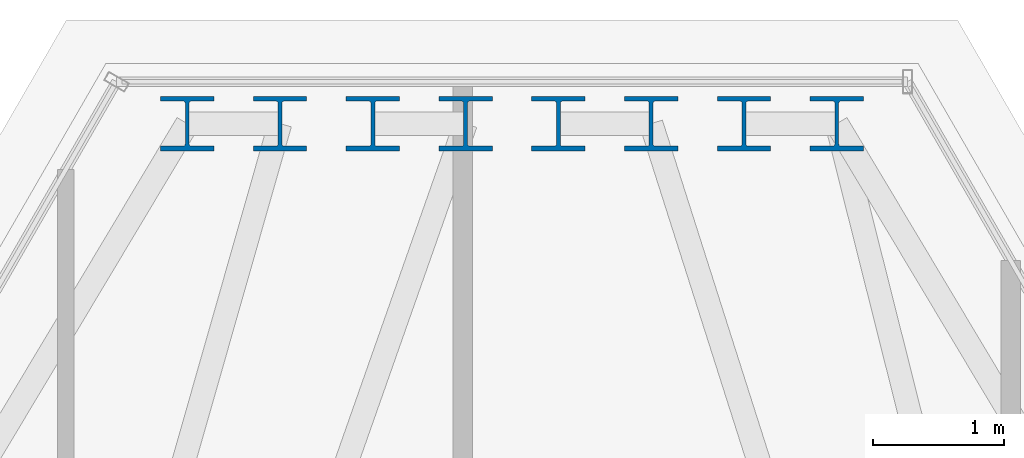
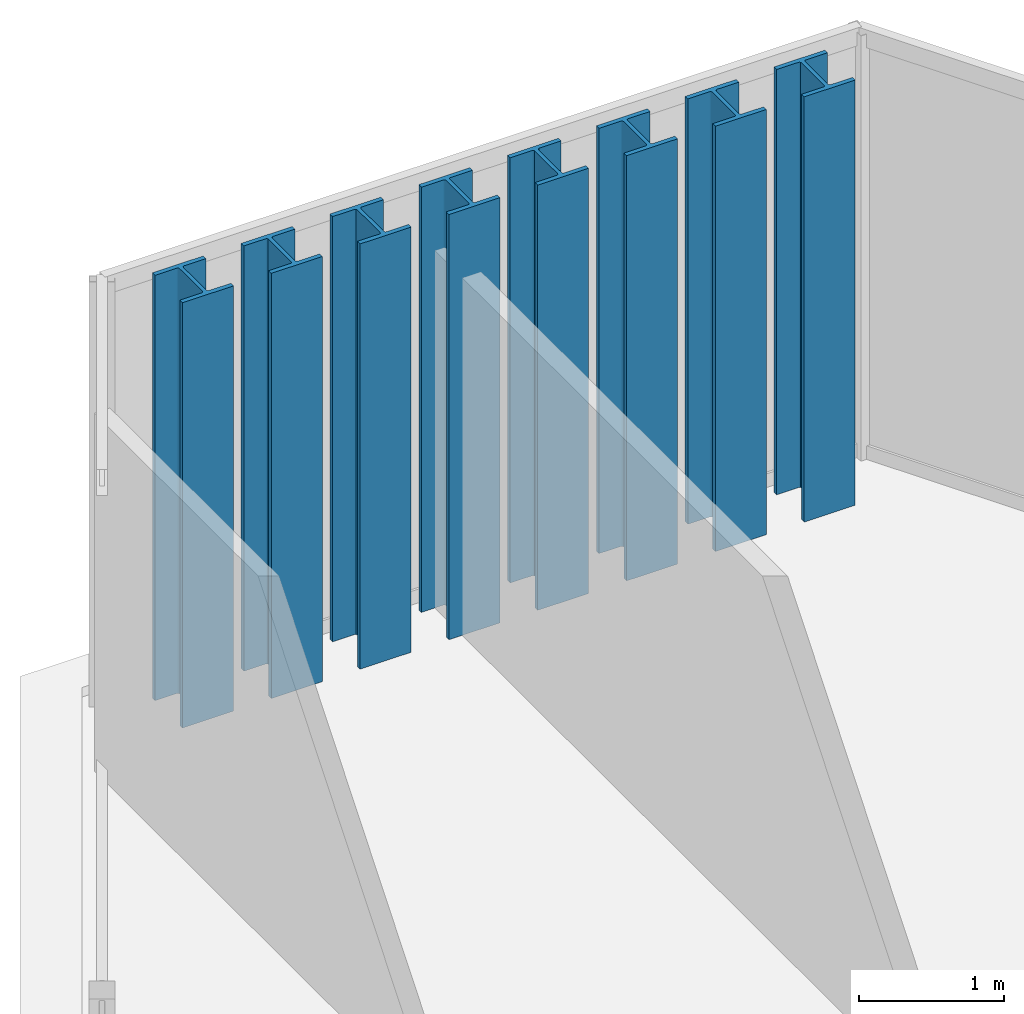
# One storey, part 2 of 32: 8 columns.
"""IFC4 building model written with IfcOpenShell, lengths in metres."""

from ifc_helpers import new_model, si_unit, direction, frame, origin, origin_2d, place, context, subcontext, project, spatial, i_section, extrude, material, material_profile, profile_set, type_object, element, save


model = new_model("IFC4")

# Units and contexts
model_context = context("Model", 3, precision=1e-05, world=origin(), true_north=direction((0.0, 1.0)))
body_context = subcontext(model_context, "Body", "Model", "MODEL_VIEW")
ifc_project = project(units=[si_unit("LENGTHUNIT", "METRE"), si_unit("AREAUNIT", "SQUARE_METRE"), si_unit("VOLUMEUNIT", "CUBIC_METRE"), si_unit("PLANEANGLEUNIT", "RADIAN"), si_unit("MASSUNIT", "GRAM", prefix="KILO")], contexts=[model_context])

# Site, building, storey
site_placement = place(None, origin())
site = spatial("IfcSite", under=ifc_project, at=site_placement, CompositionType="ELEMENT")
building_placement = place(site_placement, origin())
building = spatial("IfcBuilding", under=site, at=building_placement, Name="Ndaravel Arena Tower", CompositionType="ELEMENT")
storey_placement = place(building_placement, frame((0.0, 0.0, 252.199951171875)))
storey = spatial("IfcBuildingStorey", under=building, at=storey_placement, Name="L61", CompositionType="ELEMENT", Elevation=252.199951171875)

# Columns
ifc_material = material(Name="Steel S355", Category="steel")
ifc_material_profile = material_profile(ifc_material, i_section(OverallWidth=0.406005859375, OverallDepth=0.416015625, WebThickness=0.02978515625, FlangeThickness=0.03662109375, FilletRadius=0.014892578125, at=origin_2d()), Name="HD 400x382")
ifc_profile_set = profile_set([ifc_material_profile], Name="Steel S355")
column_type = type_object("IfcColumnType", Name="COL-TUBE-HD382", PredefinedType="COLUMN", material=ifc_profile_set)
for number, where, z_axis, x_axis, name in (
    (1, (44.475341796875, 44.359619140625, 0.0), (0.0, 0.0, 1.0), (1.0, 0.0, 0.0), "L61 Framed Tube Column TC-11"),
    (2, (43.76806640625, 44.359619140625, 0.0), (0.0, 0.0, 1.0), (1.0, 0.0, 0.0), "L61 Framed Tube Column TC-12"),
    (3, (43.060791015625, 44.359619140625, 0.0), (0.0, 0.0, 1.0), (1.0, 0.0, 0.0), "L61 Framed Tube Column TC-13"),
    (4, (42.353515625, 44.359619140625, 0.0), (0.0, 0.0, 1.0), (1.0, 0.0, 0.0), "L61 Framed Tube Column TC-14"),
    (5, (41.646484375, 44.359619140625, 0.0), (0.0, 0.0, 1.0), (1.0, 0.0, 0.0), "L61 Framed Tube Column TC-15"),
    (6, (40.939208984375, 44.359619140625, 0.0), (0.0, 0.0, 1.0), (1.0, 0.0, 0.0), "L61 Framed Tube Column TC-16"),
    (7, (40.23193359375, 44.359619140625, 0.0), (0.0, 0.0, 1.0), (1.0, 0.0, 0.0), "L61 Framed Tube Column TC-17"),
    (8, (39.524658203125, 44.359619140625, 0.0), (0.0, 0.0, 1.0), (1.0, 0.0, 0.0), "L61 Framed Tube Column TC-18"),
):
    element("IfcColumn", number, at=place(storey_placement, frame(where, z_axis=z_axis, x_axis=x_axis)), inside=storey, type_object=column_type, Name=name, PredefinedType="COLUMN", context=body_context, shape_type="SweptSolid", body=[
        extrude(i_section(OverallWidth=0.406005859375, OverallDepth=0.416015625, WebThickness=0.02978515625, FlangeThickness=0.03662109375, FilletRadius=0.014892578125, at=origin_2d()), origin(), (0.0, 0.0, 1.0), 3.580078125),
    ])

save(model, "model.ifc")
